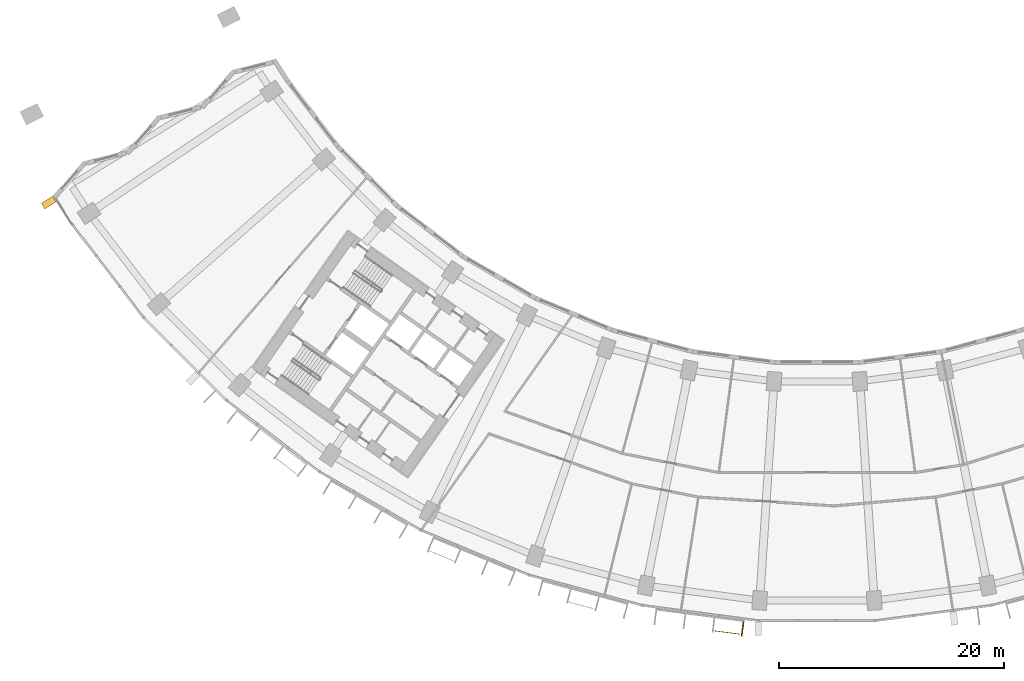
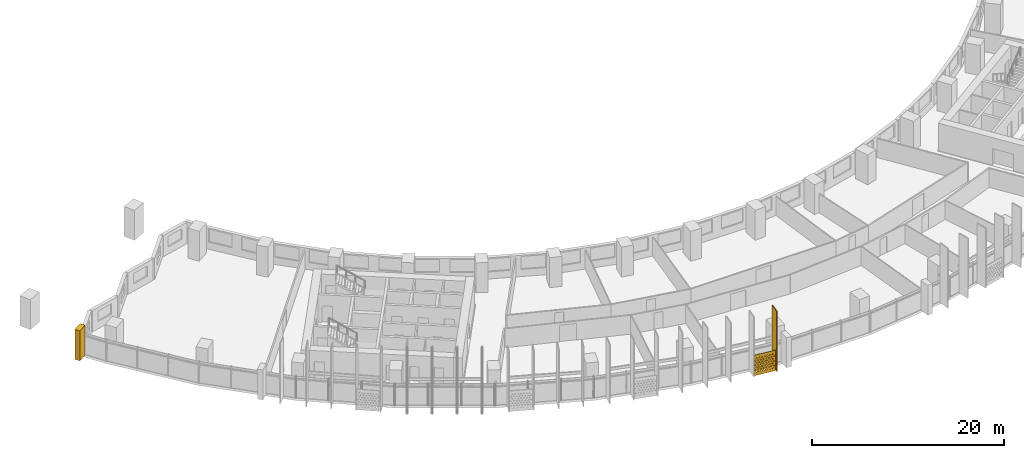
# One storey, part 28 of 32: 3 shading devices.
"""IFC4 building model written with IfcOpenShell, lengths in metres."""

from ifc_helpers import new_model, si_unit, direction, frame, origin, origin_2d, place, context, subcontext, project, spatial, polyline, rectangle, outline, extrude, material, material_profile, profile_set, type_object, element, save


model = new_model("IFC4")

# Units and contexts
model_context = context("Model", 3, precision=1e-05, world=origin(), true_north=direction((0.0, 1.0)))
body_context = subcontext(model_context, "Body", "Model", "MODEL_VIEW")
ifc_project = project(units=[si_unit("LENGTHUNIT", "METRE"), si_unit("AREAUNIT", "SQUARE_METRE"), si_unit("VOLUMEUNIT", "CUBIC_METRE"), si_unit("PLANEANGLEUNIT", "RADIAN"), si_unit("MASSUNIT", "GRAM", prefix="KILO")], contexts=[model_context])

# Site, building, storey
site_placement = place(None, origin())
site = spatial("IfcSite", under=ifc_project, at=site_placement, CompositionType="ELEMENT")
building_placement = place(site_placement, origin())
building = spatial("IfcBuilding", under=site, at=building_placement, Name="Qamariyya Broadcast Tower", CompositionType="ELEMENT")
storey_placement = place(building_placement, frame((0.0, 0.0, 70.89990234375)))
storey = spatial("IfcBuildingStorey", under=building, at=storey_placement, Name="L14", CompositionType="ELEMENT", Elevation=70.89990234375)

# Shading devices
ifc_material_1 = material(Name="Steel S355 powder coated deep red", Category="steel")
shading_device_type_1 = type_object("IfcShadingDeviceType", Name="Deep red frame, powder coated steel box section", PredefinedType="USERDEFINED", material=ifc_material_1)
shading_device_1_placement = place(storey_placement, origin())
element("IfcShadingDevice", 1, at=shading_device_1_placement, inside=storey, type_object=shading_device_type_1, Name="e-frm-B1-F1-posta-L14", ObjectType="FRAME", PredefinedType="USERDEFINED", context=body_context, shape_type="SweptSolid", body=[
    extrude(outline(polyline([(-67.884521484375, -41.6630859375), (-68.89501953125, -42.310302734375), (-68.5712890625, -42.815673828125), (-67.560791015625, -42.168212890625), (-67.884521484375, -41.6630859375)])), origin(), (0.0, 0.0, 1.0), 3.800048828125),
])
ifc_material_2 = material(Name="Perforated glazed terracotta", Category="masonry")
ifc_material_profile_1 = material_profile(ifc_material_2, outline(polyline([(-1.199951171875, -1.300048828125), (1.199951171875, -1.300048828125), (1.199951171875, 1.300048828125), (-1.199951171875, 1.300048828125), (-1.199951171875, -1.300048828125)]), holes=[polyline([(-0.81494140625, -0.86669921875), (-0.89990234375, -0.78173828125), (-0.985107421875, -0.86669921875), (-0.89990234375, -0.95166015625), (-0.81494140625, -0.86669921875)]), polyline([(-0.514892578125, -0.86669921875), (-0.60009765625, -0.78173828125), (-0.68505859375, -0.86669921875), (-0.60009765625, -0.95166015625), (-0.514892578125, -0.86669921875)]), polyline([(-0.215087890625, -0.86669921875), (-0.300048828125, -0.78173828125), (-0.385009765625, -0.86669921875), (-0.300048828125, -0.95166015625), (-0.215087890625, -0.86669921875)]), polyline([(0.0849609375, -0.86669921875), (0.0, -0.78173828125), (-0.0849609375, -0.86669921875), (0.0, -0.95166015625), (0.0849609375, -0.86669921875)]), polyline([(0.385009765625, -0.86669921875), (0.300048828125, -0.78173828125), (0.215087890625, -0.86669921875), (0.300048828125, -0.95166015625), (0.385009765625, -0.86669921875)]), polyline([(0.68505859375, -0.86669921875), (0.60009765625, -0.78173828125), (0.514892578125, -0.86669921875), (0.60009765625, -0.95166015625), (0.68505859375, -0.86669921875)]), polyline([(0.985107421875, -0.86669921875), (0.89990234375, -0.78173828125), (0.81494140625, -0.86669921875), (0.89990234375, -0.95166015625), (0.985107421875, -0.86669921875)]), polyline([(-0.965087890625, -0.577880859375), (-1.050048828125, -0.49267578125), (-1.135009765625, -0.577880859375), (-1.050048828125, -0.662841796875), (-0.965087890625, -0.577880859375)]), polyline([(-0.6650390625, -0.577880859375), (-0.75, -0.49267578125), (-0.8349609375, -0.577880859375), (-0.75, -0.662841796875), (-0.6650390625, -0.577880859375)]), polyline([(-0.364990234375, -0.577880859375), (-0.449951171875, -0.49267578125), (-0.534912109375, -0.577880859375), (-0.449951171875, -0.662841796875), (-0.364990234375, -0.577880859375)]), polyline([(-0.06494140625, -0.577880859375), (-0.14990234375, -0.49267578125), (-0.235107421875, -0.577880859375), (-0.14990234375, -0.662841796875), (-0.06494140625, -0.577880859375)]), polyline([(0.235107421875, -0.577880859375), (0.14990234375, -0.49267578125), (0.06494140625, -0.577880859375), (0.14990234375, -0.662841796875), (0.235107421875, -0.577880859375)]), polyline([(0.534912109375, -0.577880859375), (0.449951171875, -0.49267578125), (0.364990234375, -0.577880859375), (0.449951171875, -0.662841796875), (0.534912109375, -0.577880859375)]), polyline([(0.8349609375, -0.577880859375), (0.75, -0.49267578125), (0.6650390625, -0.577880859375), (0.75, -0.662841796875), (0.8349609375, -0.577880859375)]), polyline([(1.135009765625, -0.577880859375), (1.050048828125, -0.49267578125), (0.965087890625, -0.577880859375), (1.050048828125, -0.662841796875), (1.135009765625, -0.577880859375)]), polyline([(-0.81494140625, -0.288818359375), (-0.89990234375, -0.203857421875), (-0.985107421875, -0.288818359375), (-0.89990234375, -0.373779296875), (-0.81494140625, -0.288818359375)]), polyline([(-0.514892578125, -0.288818359375), (-0.60009765625, -0.203857421875), (-0.68505859375, -0.288818359375), (-0.60009765625, -0.373779296875), (-0.514892578125, -0.288818359375)]), polyline([(-0.215087890625, -0.288818359375), (-0.300048828125, -0.203857421875), (-0.385009765625, -0.288818359375), (-0.300048828125, -0.373779296875), (-0.215087890625, -0.288818359375)]), polyline([(0.0849609375, -0.288818359375), (0.0, -0.203857421875), (-0.0849609375, -0.288818359375), (0.0, -0.373779296875), (0.0849609375, -0.288818359375)]), polyline([(0.385009765625, -0.288818359375), (0.300048828125, -0.203857421875), (0.215087890625, -0.288818359375), (0.300048828125, -0.373779296875), (0.385009765625, -0.288818359375)]), polyline([(0.68505859375, -0.288818359375), (0.60009765625, -0.203857421875), (0.514892578125, -0.288818359375), (0.60009765625, -0.373779296875), (0.68505859375, -0.288818359375)]), polyline([(0.985107421875, -0.288818359375), (0.89990234375, -0.203857421875), (0.81494140625, -0.288818359375), (0.89990234375, -0.373779296875), (0.985107421875, -0.288818359375)]), polyline([(-0.965087890625, 0.0), (-1.050048828125, 0.0849609375), (-1.135009765625, 0.0), (-1.050048828125, -0.0849609375), (-0.965087890625, 0.0)]), polyline([(-0.6650390625, 0.0), (-0.75, 0.0849609375), (-0.8349609375, 0.0), (-0.75, -0.0849609375), (-0.6650390625, 0.0)]), polyline([(-0.364990234375, 0.0), (-0.449951171875, 0.0849609375), (-0.534912109375, 0.0), (-0.449951171875, -0.0849609375), (-0.364990234375, 0.0)]), polyline([(-0.06494140625, 0.0), (-0.14990234375, 0.0849609375), (-0.235107421875, 0.0), (-0.14990234375, -0.0849609375), (-0.06494140625, 0.0)]), polyline([(0.235107421875, 0.0), (0.14990234375, 0.0849609375), (0.06494140625, 0.0), (0.14990234375, -0.0849609375), (0.235107421875, 0.0)]), polyline([(0.534912109375, 0.0), (0.449951171875, 0.0849609375), (0.364990234375, 0.0), (0.449951171875, -0.0849609375), (0.534912109375, 0.0)]), polyline([(0.8349609375, 0.0), (0.75, 0.0849609375), (0.6650390625, 0.0), (0.75, -0.0849609375), (0.8349609375, 0.0)]), polyline([(1.135009765625, 0.0), (1.050048828125, 0.0849609375), (0.965087890625, 0.0), (1.050048828125, -0.0849609375), (1.135009765625, 0.0)]), polyline([(-0.81494140625, 0.288818359375), (-0.89990234375, 0.373779296875), (-0.985107421875, 0.288818359375), (-0.89990234375, 0.203857421875), (-0.81494140625, 0.288818359375)]), polyline([(-0.514892578125, 0.288818359375), (-0.60009765625, 0.373779296875), (-0.68505859375, 0.288818359375), (-0.60009765625, 0.203857421875), (-0.514892578125, 0.288818359375)]), polyline([(-0.215087890625, 0.288818359375), (-0.300048828125, 0.373779296875), (-0.385009765625, 0.288818359375), (-0.300048828125, 0.203857421875), (-0.215087890625, 0.288818359375)]), polyline([(0.0849609375, 0.288818359375), (0.0, 0.373779296875), (-0.0849609375, 0.288818359375), (0.0, 0.203857421875), (0.0849609375, 0.288818359375)]), polyline([(0.385009765625, 0.288818359375), (0.300048828125, 0.373779296875), (0.215087890625, 0.288818359375), (0.300048828125, 0.203857421875), (0.385009765625, 0.288818359375)]), polyline([(0.68505859375, 0.288818359375), (0.60009765625, 0.373779296875), (0.514892578125, 0.288818359375), (0.60009765625, 0.203857421875), (0.68505859375, 0.288818359375)]), polyline([(0.985107421875, 0.288818359375), (0.89990234375, 0.373779296875), (0.81494140625, 0.288818359375), (0.89990234375, 0.203857421875), (0.985107421875, 0.288818359375)]), polyline([(-0.965087890625, 0.577880859375), (-1.050048828125, 0.662841796875), (-1.135009765625, 0.577880859375), (-1.050048828125, 0.49267578125), (-0.965087890625, 0.577880859375)]), polyline([(-0.6650390625, 0.577880859375), (-0.75, 0.662841796875), (-0.8349609375, 0.577880859375), (-0.75, 0.49267578125), (-0.6650390625, 0.577880859375)]), polyline([(-0.364990234375, 0.577880859375), (-0.449951171875, 0.662841796875), (-0.534912109375, 0.577880859375), (-0.449951171875, 0.49267578125), (-0.364990234375, 0.577880859375)]), polyline([(-0.06494140625, 0.577880859375), (-0.14990234375, 0.662841796875), (-0.235107421875, 0.577880859375), (-0.14990234375, 0.49267578125), (-0.06494140625, 0.577880859375)]), polyline([(0.235107421875, 0.577880859375), (0.14990234375, 0.662841796875), (0.06494140625, 0.577880859375), (0.14990234375, 0.49267578125), (0.235107421875, 0.577880859375)]), polyline([(0.534912109375, 0.577880859375), (0.449951171875, 0.662841796875), (0.364990234375, 0.577880859375), (0.449951171875, 0.49267578125), (0.534912109375, 0.577880859375)]), polyline([(0.8349609375, 0.577880859375), (0.75, 0.662841796875), (0.6650390625, 0.577880859375), (0.75, 0.49267578125), (0.8349609375, 0.577880859375)]), polyline([(1.135009765625, 0.577880859375), (1.050048828125, 0.662841796875), (0.965087890625, 0.577880859375), (1.050048828125, 0.49267578125), (1.135009765625, 0.577880859375)]), polyline([(-0.81494140625, 0.86669921875), (-0.89990234375, 0.95166015625), (-0.985107421875, 0.86669921875), (-0.89990234375, 0.78173828125), (-0.81494140625, 0.86669921875)]), polyline([(-0.514892578125, 0.86669921875), (-0.60009765625, 0.95166015625), (-0.68505859375, 0.86669921875), (-0.60009765625, 0.78173828125), (-0.514892578125, 0.86669921875)]), polyline([(-0.215087890625, 0.86669921875), (-0.300048828125, 0.95166015625), (-0.385009765625, 0.86669921875), (-0.300048828125, 0.78173828125), (-0.215087890625, 0.86669921875)]), polyline([(0.0849609375, 0.86669921875), (0.0, 0.95166015625), (-0.0849609375, 0.86669921875), (0.0, 0.78173828125), (0.0849609375, 0.86669921875)]), polyline([(0.385009765625, 0.86669921875), (0.300048828125, 0.95166015625), (0.215087890625, 0.86669921875), (0.300048828125, 0.78173828125), (0.385009765625, 0.86669921875)]), polyline([(0.68505859375, 0.86669921875), (0.60009765625, 0.95166015625), (0.514892578125, 0.86669921875), (0.60009765625, 0.78173828125), (0.68505859375, 0.86669921875)]), polyline([(0.985107421875, 0.86669921875), (0.89990234375, 0.95166015625), (0.81494140625, 0.86669921875), (0.89990234375, 0.78173828125), (0.985107421875, 0.86669921875)])]))
ifc_profile_set_1 = profile_set([ifc_material_profile_1], Name="Perforated glazed terracotta")
shading_device_type_2 = type_object("IfcShadingDeviceType", Name="Perforated terracotta screen 2400 x 2600", PredefinedType="USERDEFINED", material=ifc_profile_set_1)
shading_device_2_placement = place(storey_placement, frame((-8.009521484375, -80.391845703125, 1.35009765625), z_axis=(-0.13056005306, -0.991440402921, 0.0), x_axis=(0.991440402921, -0.13056005306, 0.0)))
element("IfcShadingDevice", 2, at=shading_device_2_placement, inside=storey, type_object=shading_device_type_2, Name="e-scr-L14-07-2", ObjectType="SCREEN", PredefinedType="USERDEFINED", context=body_context, shape_type="SweptSolid", body=[
    extrude(outline(polyline([(-1.199951171875, -1.300048828125), (1.199951171875, -1.300048828125), (1.199951171875, 1.300048828125), (-1.199951171875, 1.300048828125), (-1.199951171875, -1.300048828125)]), holes=[polyline([(-0.81494140625, -0.86669921875), (-0.89990234375, -0.78173828125), (-0.985107421875, -0.86669921875), (-0.89990234375, -0.95166015625), (-0.81494140625, -0.86669921875)]), polyline([(-0.514892578125, -0.86669921875), (-0.60009765625, -0.78173828125), (-0.68505859375, -0.86669921875), (-0.60009765625, -0.95166015625), (-0.514892578125, -0.86669921875)]), polyline([(-0.215087890625, -0.86669921875), (-0.300048828125, -0.78173828125), (-0.385009765625, -0.86669921875), (-0.300048828125, -0.95166015625), (-0.215087890625, -0.86669921875)]), polyline([(0.0849609375, -0.86669921875), (0.0, -0.78173828125), (-0.0849609375, -0.86669921875), (0.0, -0.95166015625), (0.0849609375, -0.86669921875)]), polyline([(0.385009765625, -0.86669921875), (0.300048828125, -0.78173828125), (0.215087890625, -0.86669921875), (0.300048828125, -0.95166015625), (0.385009765625, -0.86669921875)]), polyline([(0.68505859375, -0.86669921875), (0.60009765625, -0.78173828125), (0.514892578125, -0.86669921875), (0.60009765625, -0.95166015625), (0.68505859375, -0.86669921875)]), polyline([(0.985107421875, -0.86669921875), (0.89990234375, -0.78173828125), (0.81494140625, -0.86669921875), (0.89990234375, -0.95166015625), (0.985107421875, -0.86669921875)]), polyline([(-0.965087890625, -0.577880859375), (-1.050048828125, -0.49267578125), (-1.135009765625, -0.577880859375), (-1.050048828125, -0.662841796875), (-0.965087890625, -0.577880859375)]), polyline([(-0.6650390625, -0.577880859375), (-0.75, -0.49267578125), (-0.8349609375, -0.577880859375), (-0.75, -0.662841796875), (-0.6650390625, -0.577880859375)]), polyline([(-0.364990234375, -0.577880859375), (-0.449951171875, -0.49267578125), (-0.534912109375, -0.577880859375), (-0.449951171875, -0.662841796875), (-0.364990234375, -0.577880859375)]), polyline([(-0.06494140625, -0.577880859375), (-0.14990234375, -0.49267578125), (-0.235107421875, -0.577880859375), (-0.14990234375, -0.662841796875), (-0.06494140625, -0.577880859375)]), polyline([(0.235107421875, -0.577880859375), (0.14990234375, -0.49267578125), (0.06494140625, -0.577880859375), (0.14990234375, -0.662841796875), (0.235107421875, -0.577880859375)]), polyline([(0.534912109375, -0.577880859375), (0.449951171875, -0.49267578125), (0.364990234375, -0.577880859375), (0.449951171875, -0.662841796875), (0.534912109375, -0.577880859375)]), polyline([(0.8349609375, -0.577880859375), (0.75, -0.49267578125), (0.6650390625, -0.577880859375), (0.75, -0.662841796875), (0.8349609375, -0.577880859375)]), polyline([(1.135009765625, -0.577880859375), (1.050048828125, -0.49267578125), (0.965087890625, -0.577880859375), (1.050048828125, -0.662841796875), (1.135009765625, -0.577880859375)]), polyline([(-0.81494140625, -0.288818359375), (-0.89990234375, -0.203857421875), (-0.985107421875, -0.288818359375), (-0.89990234375, -0.373779296875), (-0.81494140625, -0.288818359375)]), polyline([(-0.514892578125, -0.288818359375), (-0.60009765625, -0.203857421875), (-0.68505859375, -0.288818359375), (-0.60009765625, -0.373779296875), (-0.514892578125, -0.288818359375)]), polyline([(-0.215087890625, -0.288818359375), (-0.300048828125, -0.203857421875), (-0.385009765625, -0.288818359375), (-0.300048828125, -0.373779296875), (-0.215087890625, -0.288818359375)]), polyline([(0.0849609375, -0.288818359375), (0.0, -0.203857421875), (-0.0849609375, -0.288818359375), (0.0, -0.373779296875), (0.0849609375, -0.288818359375)]), polyline([(0.385009765625, -0.288818359375), (0.300048828125, -0.203857421875), (0.215087890625, -0.288818359375), (0.300048828125, -0.373779296875), (0.385009765625, -0.288818359375)]), polyline([(0.68505859375, -0.288818359375), (0.60009765625, -0.203857421875), (0.514892578125, -0.288818359375), (0.60009765625, -0.373779296875), (0.68505859375, -0.288818359375)]), polyline([(0.985107421875, -0.288818359375), (0.89990234375, -0.203857421875), (0.81494140625, -0.288818359375), (0.89990234375, -0.373779296875), (0.985107421875, -0.288818359375)]), polyline([(-0.965087890625, 0.0), (-1.050048828125, 0.0849609375), (-1.135009765625, 0.0), (-1.050048828125, -0.0849609375), (-0.965087890625, 0.0)]), polyline([(-0.6650390625, 0.0), (-0.75, 0.0849609375), (-0.8349609375, 0.0), (-0.75, -0.0849609375), (-0.6650390625, 0.0)]), polyline([(-0.364990234375, 0.0), (-0.449951171875, 0.0849609375), (-0.534912109375, 0.0), (-0.449951171875, -0.0849609375), (-0.364990234375, 0.0)]), polyline([(-0.06494140625, 0.0), (-0.14990234375, 0.0849609375), (-0.235107421875, 0.0), (-0.14990234375, -0.0849609375), (-0.06494140625, 0.0)]), polyline([(0.235107421875, 0.0), (0.14990234375, 0.0849609375), (0.06494140625, 0.0), (0.14990234375, -0.0849609375), (0.235107421875, 0.0)]), polyline([(0.534912109375, 0.0), (0.449951171875, 0.0849609375), (0.364990234375, 0.0), (0.449951171875, -0.0849609375), (0.534912109375, 0.0)]), polyline([(0.8349609375, 0.0), (0.75, 0.0849609375), (0.6650390625, 0.0), (0.75, -0.0849609375), (0.8349609375, 0.0)]), polyline([(1.135009765625, 0.0), (1.050048828125, 0.0849609375), (0.965087890625, 0.0), (1.050048828125, -0.0849609375), (1.135009765625, 0.0)]), polyline([(-0.81494140625, 0.288818359375), (-0.89990234375, 0.373779296875), (-0.985107421875, 0.288818359375), (-0.89990234375, 0.203857421875), (-0.81494140625, 0.288818359375)]), polyline([(-0.514892578125, 0.288818359375), (-0.60009765625, 0.373779296875), (-0.68505859375, 0.288818359375), (-0.60009765625, 0.203857421875), (-0.514892578125, 0.288818359375)]), polyline([(-0.215087890625, 0.288818359375), (-0.300048828125, 0.373779296875), (-0.385009765625, 0.288818359375), (-0.300048828125, 0.203857421875), (-0.215087890625, 0.288818359375)]), polyline([(0.0849609375, 0.288818359375), (0.0, 0.373779296875), (-0.0849609375, 0.288818359375), (0.0, 0.203857421875), (0.0849609375, 0.288818359375)]), polyline([(0.385009765625, 0.288818359375), (0.300048828125, 0.373779296875), (0.215087890625, 0.288818359375), (0.300048828125, 0.203857421875), (0.385009765625, 0.288818359375)]), polyline([(0.68505859375, 0.288818359375), (0.60009765625, 0.373779296875), (0.514892578125, 0.288818359375), (0.60009765625, 0.203857421875), (0.68505859375, 0.288818359375)]), polyline([(0.985107421875, 0.288818359375), (0.89990234375, 0.373779296875), (0.81494140625, 0.288818359375), (0.89990234375, 0.203857421875), (0.985107421875, 0.288818359375)]), polyline([(-0.965087890625, 0.577880859375), (-1.050048828125, 0.662841796875), (-1.135009765625, 0.577880859375), (-1.050048828125, 0.49267578125), (-0.965087890625, 0.577880859375)]), polyline([(-0.6650390625, 0.577880859375), (-0.75, 0.662841796875), (-0.8349609375, 0.577880859375), (-0.75, 0.49267578125), (-0.6650390625, 0.577880859375)]), polyline([(-0.364990234375, 0.577880859375), (-0.449951171875, 0.662841796875), (-0.534912109375, 0.577880859375), (-0.449951171875, 0.49267578125), (-0.364990234375, 0.577880859375)]), polyline([(-0.06494140625, 0.577880859375), (-0.14990234375, 0.662841796875), (-0.235107421875, 0.577880859375), (-0.14990234375, 0.49267578125), (-0.06494140625, 0.577880859375)]), polyline([(0.235107421875, 0.577880859375), (0.14990234375, 0.662841796875), (0.06494140625, 0.577880859375), (0.14990234375, 0.49267578125), (0.235107421875, 0.577880859375)]), polyline([(0.534912109375, 0.577880859375), (0.449951171875, 0.662841796875), (0.364990234375, 0.577880859375), (0.449951171875, 0.49267578125), (0.534912109375, 0.577880859375)]), polyline([(0.8349609375, 0.577880859375), (0.75, 0.662841796875), (0.6650390625, 0.577880859375), (0.75, 0.49267578125), (0.8349609375, 0.577880859375)]), polyline([(1.135009765625, 0.577880859375), (1.050048828125, 0.662841796875), (0.965087890625, 0.577880859375), (1.050048828125, 0.49267578125), (1.135009765625, 0.577880859375)]), polyline([(-0.81494140625, 0.86669921875), (-0.89990234375, 0.95166015625), (-0.985107421875, 0.86669921875), (-0.89990234375, 0.78173828125), (-0.81494140625, 0.86669921875)]), polyline([(-0.514892578125, 0.86669921875), (-0.60009765625, 0.95166015625), (-0.68505859375, 0.86669921875), (-0.60009765625, 0.78173828125), (-0.514892578125, 0.86669921875)]), polyline([(-0.215087890625, 0.86669921875), (-0.300048828125, 0.95166015625), (-0.385009765625, 0.86669921875), (-0.300048828125, 0.78173828125), (-0.215087890625, 0.86669921875)]), polyline([(0.0849609375, 0.86669921875), (0.0, 0.95166015625), (-0.0849609375, 0.86669921875), (0.0, 0.78173828125), (0.0849609375, 0.86669921875)]), polyline([(0.385009765625, 0.86669921875), (0.300048828125, 0.95166015625), (0.215087890625, 0.86669921875), (0.300048828125, 0.78173828125), (0.385009765625, 0.86669921875)]), polyline([(0.68505859375, 0.86669921875), (0.60009765625, 0.95166015625), (0.514892578125, 0.86669921875), (0.60009765625, 0.78173828125), (0.68505859375, 0.86669921875)]), polyline([(0.985107421875, 0.86669921875), (0.89990234375, 0.95166015625), (0.81494140625, 0.86669921875), (0.89990234375, 0.78173828125), (0.985107421875, 0.86669921875)])]), origin(), (0.0, 0.0, 1.0), 0.059814453125),
])
ifc_material_3 = material(Name="Glazed terracotta", Category="masonry")
ifc_material_profile_2 = material_profile(ifc_material_3, rectangle(XDim=1.300048828125, YDim=0.10009765625, at=origin_2d()))
ifc_profile_set_2 = profile_set([ifc_material_profile_2], Name="Glazed terracotta")
shading_device_type_3 = type_object("IfcShadingDeviceType", Name="Terracotta fin 100 x 1300", PredefinedType="USERDEFINED", material=ifc_profile_set_2)
shading_device_3_placement = place(storey_placement, frame((-6.60498046875, -80.1025390625, 0.0), z_axis=(0.0, 0.0, 1.0), x_axis=(-0.13052619222, -0.991444861374, 0.0)))
element("IfcShadingDevice", 3, at=shading_device_3_placement, inside=storey, type_object=shading_device_type_3, Name="e-fin-L14-07-3", ObjectType="FIN", PredefinedType="USERDEFINED", context=body_context, shape_type="SweptSolid", body=[
    extrude(rectangle(XDim=1.300048828125, YDim=0.10009765625, at=origin_2d()), origin(), (0.0, 0.0, 1.0), 7.60009765625),
])

save(model, "model.ifc")
